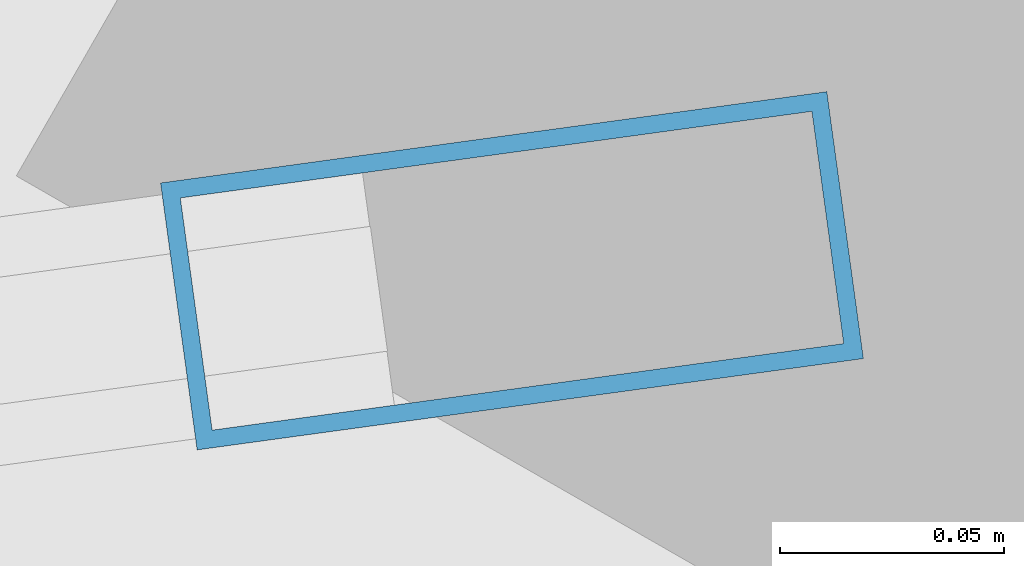
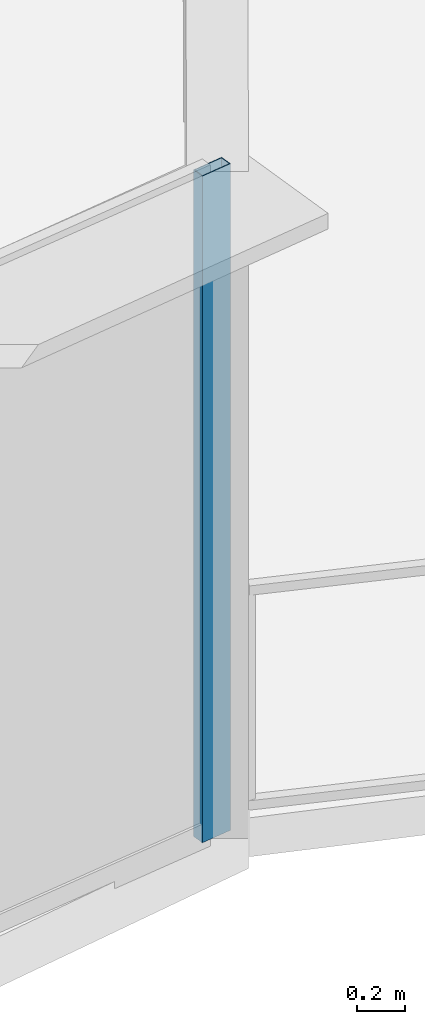
# One storey, part 24 of 39: 1 member, 1 element without a shape of its own.
"""IFC4 building model written with IfcOpenShell, lengths in metres."""

from ifc_helpers import new_model, si_unit, direction, frame, origin, origin_2d, place, context, subcontext, project, spatial, hollow_rectangle, extrude, source, transform, mapped, material, layer, layer_set, material_profile, profile_set, type_object, element, aggregate, save


model = new_model("IFC4")

# Units and contexts
model_context = context("Model", 3, precision=1e-05, world=origin(), true_north=direction((0.0, 1.0)))
body_context = subcontext(model_context, "Body", "Model", "MODEL_VIEW")
ifc_project = project(units=[si_unit("LENGTHUNIT", "METRE"), si_unit("AREAUNIT", "SQUARE_METRE"), si_unit("VOLUMEUNIT", "CUBIC_METRE"), si_unit("PLANEANGLEUNIT", "RADIAN"), si_unit("MASSUNIT", "GRAM", prefix="KILO"), si_unit("THERMODYNAMICTEMPERATUREUNIT", "KELVIN"), si_unit("POWERUNIT", "WATT")], contexts=[model_context])

# Site, building, storey
site_placement = place(None, origin())
site = spatial("IfcSite", under=ifc_project, at=site_placement, CompositionType="ELEMENT")
building_placement = place(site_placement, origin())
building = spatial("IfcBuilding", under=site, at=building_placement, Name="Yunzhuo Pagoda Commons", CompositionType="ELEMENT")
storey_placement = place(building_placement, frame((0.0, 0.0, 166.6298828125)))
storey = spatial("IfcBuildingStorey", under=building, at=storey_placement, Name="L42", CompositionType="ELEMENT", Elevation=166.6298828125)

# Curtain wall, member
ifc_material = material(Name="Anodized aluminium 6063-T6", Category="aluminium")
ifc_layer = layer(ifc_material, 0.14990234375)
ifc_layer_set = layer_set([ifc_layer], Name="Anodized aluminium 6063-T6")
curtain_wall_type = type_object("IfcCurtainWallType", Name="CW-MID Mid-Zone Ribbon Curtain Wall", PredefinedType="NOTDEFINED", material=ifc_layer_set)
curtain_wall_placement = place(storey_placement, origin())
curtain_wall = element("IfcCurtainWall", 1, at=curtain_wall_placement, inside=storey, type_object=curtain_wall_type, Name="L42 curtain wall CW-L42-F1B5", PredefinedType="NOTDEFINED")
ifc_material_profile = material_profile(ifc_material, hollow_rectangle(XDim=0.06005859375, YDim=0.14990234375, WallThickness=0.00390625, at=origin_2d()), Name="Anodized aluminium 6063-T6")
ifc_profile_set = profile_set([ifc_material_profile], Name="Anodized aluminium 6063-T6")
member_type = type_object("IfcMemberType", Name="CW-MID-M Mullion RHS 150x60x4", PredefinedType="MULLION", material=ifc_profile_set)
shared_shape = source(origin(), body_context, "Body", "SweptSolid", [
    extrude(hollow_rectangle(XDim=0.06005859375, YDim=0.14990234375, WallThickness=0.00390625, at=origin_2d()), origin(), (0.0, 0.0, 1.0), 3.420166015625),
])
member_placement = place(storey_placement, frame((82.8115234375, 16.8642578125, 0.0), z_axis=(0.0, 0.0, 1.0), x_axis=(-0.135767265879, 0.990740757976, 0.0)))
member = element("IfcMember", 2, at=member_placement, type_object=member_type, Name="CW mullion 2", PredefinedType="MULLION", context=body_context, shape_type="MappedRepresentation", body=[
    mapped(shared_shape, transform((0.0, 0.0, 0.0), scale=1.0)),
])
aggregate(curtain_wall, [member])

save(model, "model.ifc")
